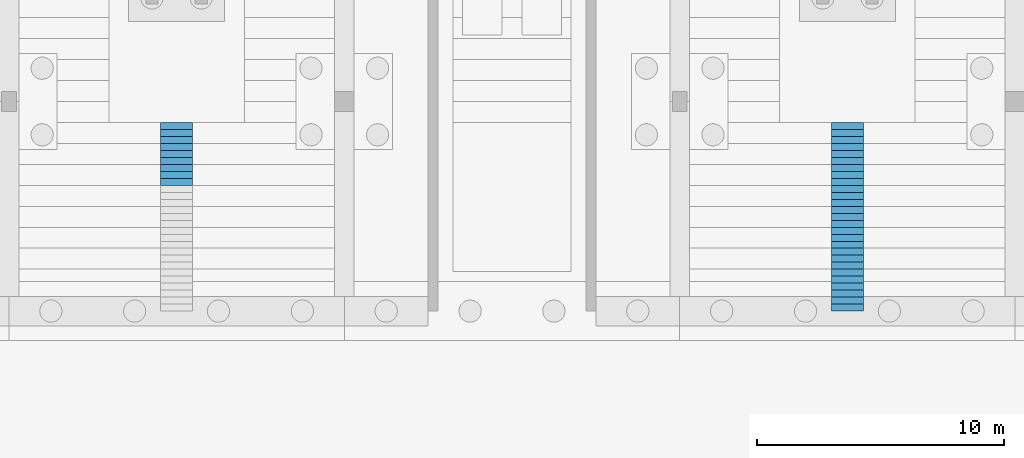
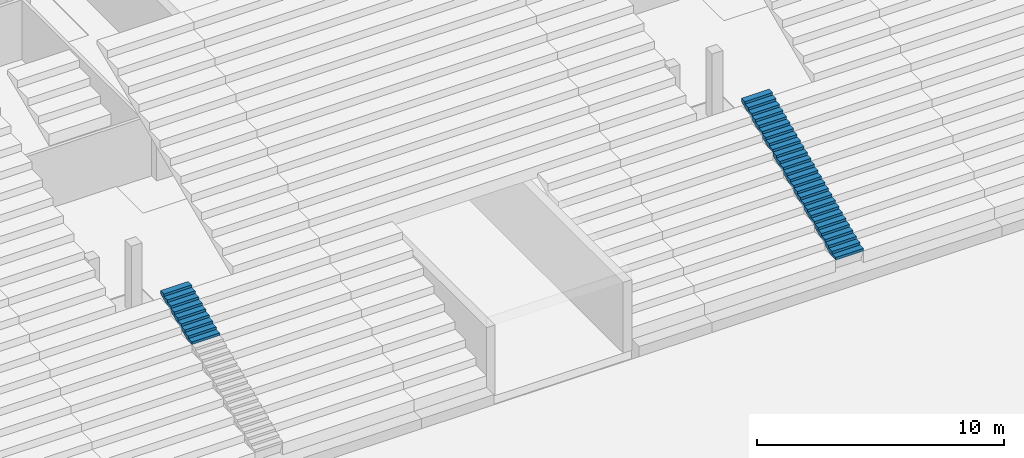
# One storey, part 96 of 115: 3 stair flights, 2 elements without a shape of their own.
"""IFC4 building model written with IfcOpenShell, lengths in metres."""

from ifc_helpers import new_model, si_unit, direction, frame, origin, place, context, subcontext, project, spatial, faceted_brep, material, type_object, element, aggregate, save


model = new_model("IFC4")

# Units and contexts
model_context = context("Model", 3, precision=1e-05, world=origin(), true_north=direction((0.0, 1.0)))
body_context = subcontext(model_context, "Body", "Model", "MODEL_VIEW")
ifc_project = project(units=[si_unit("LENGTHUNIT", "METRE"), si_unit("AREAUNIT", "SQUARE_METRE"), si_unit("VOLUMEUNIT", "CUBIC_METRE"), si_unit("PLANEANGLEUNIT", "RADIAN"), si_unit("MASSUNIT", "GRAM", prefix="KILO")], contexts=[model_context])

# Site, building, storey
site_placement = place(None, origin())
site = spatial("IfcSite", under=ifc_project, at=site_placement, CompositionType="ELEMENT")
building_placement = place(site_placement, origin())
building = spatial("IfcBuilding", under=site, at=building_placement, Name="Ogive Plaza Stadium", CompositionType="ELEMENT")
storey_placement = place(building_placement, frame((0.0, 0.0, -4.5)))
storey = spatial("IfcBuildingStorey", under=building, at=storey_placement, Name="B1", CompositionType="ELEMENT", Elevation=-4.5)

# Stair, stair flight
ifc_material_1 = material(Name="Concrete C40/50", Category="concrete")
stair_type = type_object("IfcStairType", Name="Aisle stair", PredefinedType="STRAIGHT_RUN_STAIR", material=ifc_material_1)
stair_1_placement = place(storey_placement, origin())
stair_1 = element("IfcStair", 1, at=stair_1_placement, inside=storey, type_object=stair_type, Name="Aisle stair SA33D", PredefinedType="STRAIGHT_RUN_STAIR")
ifc_material_2 = material(Name="Concrete C40/50", Category="concrete")
stair_flight_type = type_object("IfcStairFlightType", Name="Aisle stair flight", PredefinedType="STRAIGHT", material=ifc_material_2)
stair_flight_1_placement = place(storey_placement, frame((-13.60009765625, 65.10009765625, 3.375), z_axis=(0.0, 0.0, 1.0), x_axis=(0.0, 1.0, 0.0)))
stair_flight_1 = element("IfcStairFlight", 2, at=stair_flight_1_placement, type_object=stair_flight_type, Name="SA33D flight 2", NumberOfRisers=9, NumberOfTreads=8, PredefinedType="STRAIGHT", RiserHeight=0.125, TreadLength=0.283333333, context=body_context, shape_type="Brep", body=[
    faceted_brep([(0.371337890625, -0.64990234375, 0.0), (2.550048828125, -0.64990234375, 0.961181640625), (2.550048828125, -0.64990234375, 1.125), (2.2666015625, -0.64990234375, 1.125), (2.2666015625, -0.64990234375, 1.0), (1.9833984375, -0.64990234375, 1.0), (1.9833984375, -0.64990234375, 0.875), (1.699951171875, -0.64990234375, 0.875), (1.699951171875, -0.64990234375, 0.75), (1.416748046875, -0.64990234375, 0.75), (1.416748046875, -0.64990234375, 0.625), (1.13330078125, -0.64990234375, 0.625), (1.13330078125, -0.64990234375, 0.5), (0.85009765625, -0.64990234375, 0.5), (0.85009765625, -0.64990234375, 0.375), (0.566650390625, -0.64990234375, 0.375), (0.566650390625, -0.64990234375, 0.25), (0.283447265625, -0.64990234375, 0.25), (0.283447265625, -0.64990234375, 0.125), (0.0, -0.64990234375, 0.125), (0.0, -0.64990234375, 0.0), (0.0, 0.64990234375, 0.0), (0.0, 0.64990234375, 0.125), (0.283447265625, 0.64990234375, 0.125), (0.283447265625, 0.64990234375, 0.25), (0.566650390625, 0.64990234375, 0.25), (0.566650390625, 0.64990234375, 0.375), (0.85009765625, 0.64990234375, 0.375), (0.85009765625, 0.64990234375, 0.5), (1.13330078125, 0.64990234375, 0.5), (1.13330078125, 0.64990234375, 0.625), (1.416748046875, 0.64990234375, 0.625), (1.416748046875, 0.64990234375, 0.75), (1.699951171875, 0.64990234375, 0.75), (1.699951171875, 0.64990234375, 0.875), (1.9833984375, 0.64990234375, 0.875), (1.9833984375, 0.64990234375, 1.0), (2.2666015625, 0.64990234375, 1.0), (2.2666015625, 0.64990234375, 1.125), (2.550048828125, 0.64990234375, 1.125), (2.550048828125, 0.64990234375, 0.961181640625), (0.371337890625, 0.64990234375, 0.0), (0.371337890625, -0.324951171875, 0.0), (2.550048828125, -0.324951171875, 0.961181640625), (0.371337890625, 0.0, 0.0), (2.550048828125, 0.0, 0.961181640625), (0.371337890625, 0.324951171875, 0.0), (2.550048828125, 0.324951171875, 0.961181640625), (2.550048828125, -0.324951171875, 1.125), (2.550048828125, 0.0, 1.125), (2.550048828125, 0.324951171875, 1.125), (2.2666015625, -0.324951171875, 1.125), (2.2666015625, 0.0, 1.125), (2.2666015625, 0.324951171875, 1.125), (2.2666015625, -0.324951171875, 1.0), (2.2666015625, 0.0, 1.0), (2.2666015625, 0.324951171875, 1.0), (1.9833984375, -0.324951171875, 1.0), (1.9833984375, 0.0, 1.0), (1.9833984375, 0.324951171875, 1.0), (1.9833984375, -0.324951171875, 0.875), (1.9833984375, 0.0, 0.875), (1.9833984375, 0.324951171875, 0.875), (1.699951171875, -0.324951171875, 0.875), (1.699951171875, 0.0, 0.875), (1.699951171875, 0.324951171875, 0.875), (1.699951171875, -0.324951171875, 0.75), (1.699951171875, 0.0, 0.75), (1.699951171875, 0.324951171875, 0.75), (1.416748046875, -0.324951171875, 0.75), (1.416748046875, 0.0, 0.75), (1.416748046875, 0.324951171875, 0.75), (1.416748046875, -0.324951171875, 0.625), (1.416748046875, 0.0, 0.625), (1.416748046875, 0.324951171875, 0.625), (1.13330078125, -0.324951171875, 0.625), (1.13330078125, 0.0, 0.625), (1.13330078125, 0.324951171875, 0.625), (1.13330078125, -0.324951171875, 0.5), (1.13330078125, 0.0, 0.5), (1.13330078125, 0.324951171875, 0.5), (0.85009765625, -0.324951171875, 0.5), (0.85009765625, 0.0, 0.5), (0.85009765625, 0.324951171875, 0.5), (0.85009765625, -0.324951171875, 0.375), (0.85009765625, 0.0, 0.375), (0.85009765625, 0.324951171875, 0.375), (0.566650390625, -0.324951171875, 0.375), (0.566650390625, 0.0, 0.375), (0.566650390625, 0.324951171875, 0.375), (0.566650390625, -0.324951171875, 0.25), (0.566650390625, 0.0, 0.25), (0.566650390625, 0.324951171875, 0.25), (0.283447265625, -0.324951171875, 0.25), (0.283447265625, 0.0, 0.25), (0.283447265625, 0.324951171875, 0.25), (0.283447265625, -0.324951171875, 0.125), (0.283447265625, 0.0, 0.125), (0.283447265625, 0.324951171875, 0.125), (0.0, -0.324951171875, 0.125), (0.0, 0.0, 0.125), (0.0, 0.324951171875, 0.125), (0.0, -0.324951171875, 0.0), (0.0, 0.0, 0.0), (0.0, 0.324951171875, 0.0)], [[[0, 1, 2, 3, 4, 5, 6, 7, 8, 9, 10, 11, 12, 13, 14, 15, 16, 17, 18, 19, 20]], [[21, 22, 23, 24, 25, 26, 27, 28, 29, 30, 31, 32, 33, 34, 35, 36, 37, 38, 39, 40, 41]], [[0, 42, 43, 1]], [[42, 44, 45, 43]], [[44, 46, 47, 45]], [[46, 41, 40, 47]], [[1, 43, 48, 2]], [[43, 45, 49, 48]], [[45, 47, 50, 49]], [[47, 40, 39, 50]], [[2, 48, 51, 3]], [[48, 49, 52, 51]], [[49, 50, 53, 52]], [[50, 39, 38, 53]], [[3, 51, 54, 4]], [[51, 52, 55, 54]], [[52, 53, 56, 55]], [[53, 38, 37, 56]], [[4, 54, 57, 5]], [[54, 55, 58, 57]], [[55, 56, 59, 58]], [[56, 37, 36, 59]], [[5, 57, 60, 6]], [[57, 58, 61, 60]], [[58, 59, 62, 61]], [[59, 36, 35, 62]], [[6, 60, 63, 7]], [[60, 61, 64, 63]], [[61, 62, 65, 64]], [[62, 35, 34, 65]], [[7, 63, 66, 8]], [[63, 64, 67, 66]], [[64, 65, 68, 67]], [[65, 34, 33, 68]], [[8, 66, 69, 9]], [[66, 67, 70, 69]], [[67, 68, 71, 70]], [[68, 33, 32, 71]], [[9, 69, 72, 10]], [[69, 70, 73, 72]], [[70, 71, 74, 73]], [[71, 32, 31, 74]], [[10, 72, 75, 11]], [[72, 73, 76, 75]], [[73, 74, 77, 76]], [[74, 31, 30, 77]], [[11, 75, 78, 12]], [[75, 76, 79, 78]], [[76, 77, 80, 79]], [[77, 30, 29, 80]], [[12, 78, 81, 13]], [[78, 79, 82, 81]], [[79, 80, 83, 82]], [[80, 29, 28, 83]], [[13, 81, 84, 14]], [[81, 82, 85, 84]], [[82, 83, 86, 85]], [[83, 28, 27, 86]], [[14, 84, 87, 15]], [[84, 85, 88, 87]], [[85, 86, 89, 88]], [[86, 27, 26, 89]], [[15, 87, 90, 16]], [[87, 88, 91, 90]], [[88, 89, 92, 91]], [[89, 26, 25, 92]], [[16, 90, 93, 17]], [[90, 91, 94, 93]], [[91, 92, 95, 94]], [[92, 25, 24, 95]], [[17, 93, 96, 18]], [[93, 94, 97, 96]], [[94, 95, 98, 97]], [[95, 24, 23, 98]], [[18, 96, 99, 19]], [[96, 97, 100, 99]], [[97, 98, 101, 100]], [[98, 23, 22, 101]], [[19, 99, 102, 20]], [[99, 100, 103, 102]], [[100, 101, 104, 103]], [[101, 22, 21, 104]], [[20, 102, 42, 0]], [[102, 103, 44, 42]], [[103, 104, 46, 44]], [[104, 21, 41, 46]]]),
])
aggregate(stair_1, [stair_flight_1])

# Stair, stair flights
stair_2_placement = place(storey_placement, origin())
stair_2 = element("IfcStair", 3, at=stair_2_placement, inside=storey, type_object=stair_type, Name="Aisle stair SA35D", PredefinedType="STRAIGHT_RUN_STAIR")
stair_flight_2_placement = place(storey_placement, frame((13.60009765625, 60.0, 1.125), z_axis=(0.0, 0.0, 1.0), x_axis=(0.0, 1.0, 0.0)))
stair_flight_2 = element("IfcStairFlight", 4, at=stair_flight_2_placement, type_object=stair_flight_type, Name="SA35D flight 1", NumberOfRisers=18, NumberOfTreads=17, PredefinedType="STRAIGHT", RiserHeight=0.125, TreadLength=0.283333333, context=body_context, shape_type="Brep", body=[
    faceted_brep([(0.371337890625, -0.64990234375, 0.0), (5.10009765625, -0.64990234375, 2.086181640625), (5.10009765625, -0.64990234375, 2.25), (4.816650390625, -0.64990234375, 2.25), (4.816650390625, -0.64990234375, 2.125), (4.533447265625, -0.64990234375, 2.125), (4.533447265625, -0.64990234375, 2.0), (4.25, -0.64990234375, 2.0), (4.25, -0.64990234375, 1.875), (3.966552734375, -0.64990234375, 1.875), (3.966552734375, -0.64990234375, 1.75), (3.683349609375, -0.64990234375, 1.75), (3.683349609375, -0.64990234375, 1.625), (3.39990234375, -0.64990234375, 1.625), (3.39990234375, -0.64990234375, 1.5), (3.11669921875, -0.64990234375, 1.5), (3.11669921875, -0.64990234375, 1.375), (2.833251953125, -0.64990234375, 1.375), (2.833251953125, -0.64990234375, 1.25), (2.550048828125, -0.64990234375, 1.25), (2.550048828125, -0.64990234375, 1.125), (2.2666015625, -0.64990234375, 1.125), (2.2666015625, -0.64990234375, 1.0), (1.9833984375, -0.64990234375, 1.0), (1.9833984375, -0.64990234375, 0.875), (1.699951171875, -0.64990234375, 0.875), (1.699951171875, -0.64990234375, 0.75), (1.416748046875, -0.64990234375, 0.75), (1.416748046875, -0.64990234375, 0.625), (1.13330078125, -0.64990234375, 0.625), (1.13330078125, -0.64990234375, 0.5), (0.85009765625, -0.64990234375, 0.5), (0.85009765625, -0.64990234375, 0.375), (0.566650390625, -0.64990234375, 0.375), (0.566650390625, -0.64990234375, 0.25), (0.283447265625, -0.64990234375, 0.25), (0.283447265625, -0.64990234375, 0.125), (0.0, -0.64990234375, 0.125), (0.0, -0.64990234375, 0.0), (0.0, 0.64990234375, 0.0), (0.0, 0.64990234375, 0.125), (0.283447265625, 0.64990234375, 0.125), (0.283447265625, 0.64990234375, 0.25), (0.566650390625, 0.64990234375, 0.25), (0.566650390625, 0.64990234375, 0.375), (0.85009765625, 0.64990234375, 0.375), (0.85009765625, 0.64990234375, 0.5), (1.13330078125, 0.64990234375, 0.5), (1.13330078125, 0.64990234375, 0.625), (1.416748046875, 0.64990234375, 0.625), (1.416748046875, 0.64990234375, 0.75), (1.699951171875, 0.64990234375, 0.75), (1.699951171875, 0.64990234375, 0.875), (1.9833984375, 0.64990234375, 0.875), (1.9833984375, 0.64990234375, 1.0), (2.2666015625, 0.64990234375, 1.0), (2.2666015625, 0.64990234375, 1.125), (2.550048828125, 0.64990234375, 1.125), (2.550048828125, 0.64990234375, 1.25), (2.833251953125, 0.64990234375, 1.25), (2.833251953125, 0.64990234375, 1.375), (3.11669921875, 0.64990234375, 1.375), (3.11669921875, 0.64990234375, 1.5), (3.39990234375, 0.64990234375, 1.5), (3.39990234375, 0.64990234375, 1.625), (3.683349609375, 0.64990234375, 1.625), (3.683349609375, 0.64990234375, 1.75), (3.966552734375, 0.64990234375, 1.75), (3.966552734375, 0.64990234375, 1.875), (4.25, 0.64990234375, 1.875), (4.25, 0.64990234375, 2.0), (4.533447265625, 0.64990234375, 2.0), (4.533447265625, 0.64990234375, 2.125), (4.816650390625, 0.64990234375, 2.125), (4.816650390625, 0.64990234375, 2.25), (5.10009765625, 0.64990234375, 2.25), (5.10009765625, 0.64990234375, 2.086181640625), (0.371337890625, 0.64990234375, 0.0), (0.371337890625, -0.324951171875, 0.0), (5.10009765625, -0.324951171875, 2.086181640625), (0.371337890625, 0.0, 0.0), (5.10009765625, 0.0, 2.086181640625), (0.371337890625, 0.324951171875, 0.0), (5.10009765625, 0.324951171875, 2.086181640625), (5.10009765625, -0.324951171875, 2.25), (5.10009765625, 0.0, 2.25), (5.10009765625, 0.324951171875, 2.25), (4.816650390625, -0.324951171875, 2.25), (4.816650390625, 0.0, 2.25), (4.816650390625, 0.324951171875, 2.25), (4.816650390625, -0.324951171875, 2.125), (4.816650390625, 0.0, 2.125), (4.816650390625, 0.324951171875, 2.125), (4.533447265625, -0.324951171875, 2.125), (4.533447265625, 0.0, 2.125), (4.533447265625, 0.324951171875, 2.125), (4.533447265625, -0.324951171875, 2.0), (4.533447265625, 0.0, 2.0), (4.533447265625, 0.324951171875, 2.0), (4.25, -0.324951171875, 2.0), (4.25, 0.0, 2.0), (4.25, 0.324951171875, 2.0), (4.25, -0.324951171875, 1.875), (4.25, 0.0, 1.875), (4.25, 0.324951171875, 1.875), (3.966552734375, -0.324951171875, 1.875), (3.966552734375, 0.0, 1.875), (3.966552734375, 0.324951171875, 1.875), (3.966552734375, -0.324951171875, 1.75), (3.966552734375, 0.0, 1.75), (3.966552734375, 0.324951171875, 1.75), (3.683349609375, -0.324951171875, 1.75), (3.683349609375, 0.0, 1.75), (3.683349609375, 0.324951171875, 1.75), (3.683349609375, -0.324951171875, 1.625), (3.683349609375, 0.0, 1.625), (3.683349609375, 0.324951171875, 1.625), (3.39990234375, -0.324951171875, 1.625), (3.39990234375, 0.0, 1.625), (3.39990234375, 0.324951171875, 1.625), (3.39990234375, -0.324951171875, 1.5), (3.39990234375, 0.0, 1.5), (3.39990234375, 0.324951171875, 1.5), (3.11669921875, -0.324951171875, 1.5), (3.11669921875, 0.0, 1.5), (3.11669921875, 0.324951171875, 1.5), (3.11669921875, -0.324951171875, 1.375), (3.11669921875, 0.0, 1.375), (3.11669921875, 0.324951171875, 1.375), (2.833251953125, -0.324951171875, 1.375), (2.833251953125, 0.0, 1.375), (2.833251953125, 0.324951171875, 1.375), (2.833251953125, -0.324951171875, 1.25), (2.833251953125, 0.0, 1.25), (2.833251953125, 0.324951171875, 1.25), (2.550048828125, -0.324951171875, 1.25), (2.550048828125, 0.0, 1.25), (2.550048828125, 0.324951171875, 1.25), (2.550048828125, -0.324951171875, 1.125), (2.550048828125, 0.0, 1.125), (2.550048828125, 0.324951171875, 1.125), (2.2666015625, -0.324951171875, 1.125), (2.2666015625, 0.0, 1.125), (2.2666015625, 0.324951171875, 1.125), (2.2666015625, -0.324951171875, 1.0), (2.2666015625, 0.0, 1.0), (2.2666015625, 0.324951171875, 1.0), (1.9833984375, -0.324951171875, 1.0), (1.9833984375, 0.0, 1.0), (1.9833984375, 0.324951171875, 1.0), (1.9833984375, -0.324951171875, 0.875), (1.9833984375, 0.0, 0.875), (1.9833984375, 0.324951171875, 0.875), (1.699951171875, -0.324951171875, 0.875), (1.699951171875, 0.0, 0.875), (1.699951171875, 0.324951171875, 0.875), (1.699951171875, -0.324951171875, 0.75), (1.699951171875, 0.0, 0.75), (1.699951171875, 0.324951171875, 0.75), (1.416748046875, -0.324951171875, 0.75), (1.416748046875, 0.0, 0.75), (1.416748046875, 0.324951171875, 0.75), (1.416748046875, -0.324951171875, 0.625), (1.416748046875, 0.0, 0.625), (1.416748046875, 0.324951171875, 0.625), (1.13330078125, -0.324951171875, 0.625), (1.13330078125, 0.0, 0.625), (1.13330078125, 0.324951171875, 0.625), (1.13330078125, -0.324951171875, 0.5), (1.13330078125, 0.0, 0.5), (1.13330078125, 0.324951171875, 0.5), (0.85009765625, -0.324951171875, 0.5), (0.85009765625, 0.0, 0.5), (0.85009765625, 0.324951171875, 0.5), (0.85009765625, -0.324951171875, 0.375), (0.85009765625, 0.0, 0.375), (0.85009765625, 0.324951171875, 0.375), (0.566650390625, -0.324951171875, 0.375), (0.566650390625, 0.0, 0.375), (0.566650390625, 0.324951171875, 0.375), (0.566650390625, -0.324951171875, 0.25), (0.566650390625, 0.0, 0.25), (0.566650390625, 0.324951171875, 0.25), (0.283447265625, -0.324951171875, 0.25), (0.283447265625, 0.0, 0.25), (0.283447265625, 0.324951171875, 0.25), (0.283447265625, -0.324951171875, 0.125), (0.283447265625, 0.0, 0.125), (0.283447265625, 0.324951171875, 0.125), (0.0, -0.324951171875, 0.125), (0.0, 0.0, 0.125), (0.0, 0.324951171875, 0.125), (0.0, -0.324951171875, 0.0), (0.0, 0.0, 0.0), (0.0, 0.324951171875, 0.0)], [[[0, 1, 2, 3, 4, 5, 6, 7, 8, 9, 10, 11, 12, 13, 14, 15, 16, 17, 18, 19, 20, 21, 22, 23, 24, 25, 26, 27, 28, 29, 30, 31, 32, 33, 34, 35, 36, 37, 38]], [[39, 40, 41, 42, 43, 44, 45, 46, 47, 48, 49, 50, 51, 52, 53, 54, 55, 56, 57, 58, 59, 60, 61, 62, 63, 64, 65, 66, 67, 68, 69, 70, 71, 72, 73, 74, 75, 76, 77]], [[0, 78, 79, 1]], [[78, 80, 81, 79]], [[80, 82, 83, 81]], [[82, 77, 76, 83]], [[1, 79, 84, 2]], [[79, 81, 85, 84]], [[81, 83, 86, 85]], [[83, 76, 75, 86]], [[2, 84, 87, 3]], [[84, 85, 88, 87]], [[85, 86, 89, 88]], [[86, 75, 74, 89]], [[3, 87, 90, 4]], [[87, 88, 91, 90]], [[88, 89, 92, 91]], [[89, 74, 73, 92]], [[4, 90, 93, 5]], [[90, 91, 94, 93]], [[91, 92, 95, 94]], [[92, 73, 72, 95]], [[5, 93, 96, 6]], [[93, 94, 97, 96]], [[94, 95, 98, 97]], [[95, 72, 71, 98]], [[6, 96, 99, 7]], [[96, 97, 100, 99]], [[97, 98, 101, 100]], [[98, 71, 70, 101]], [[7, 99, 102, 8]], [[99, 100, 103, 102]], [[100, 101, 104, 103]], [[101, 70, 69, 104]], [[8, 102, 105, 9]], [[102, 103, 106, 105]], [[103, 104, 107, 106]], [[104, 69, 68, 107]], [[9, 105, 108, 10]], [[105, 106, 109, 108]], [[106, 107, 110, 109]], [[107, 68, 67, 110]], [[10, 108, 111, 11]], [[108, 109, 112, 111]], [[109, 110, 113, 112]], [[110, 67, 66, 113]], [[11, 111, 114, 12]], [[111, 112, 115, 114]], [[112, 113, 116, 115]], [[113, 66, 65, 116]], [[12, 114, 117, 13]], [[114, 115, 118, 117]], [[115, 116, 119, 118]], [[116, 65, 64, 119]], [[13, 117, 120, 14]], [[117, 118, 121, 120]], [[118, 119, 122, 121]], [[119, 64, 63, 122]], [[14, 120, 123, 15]], [[120, 121, 124, 123]], [[121, 122, 125, 124]], [[122, 63, 62, 125]], [[15, 123, 126, 16]], [[123, 124, 127, 126]], [[124, 125, 128, 127]], [[125, 62, 61, 128]], [[16, 126, 129, 17]], [[126, 127, 130, 129]], [[127, 128, 131, 130]], [[128, 61, 60, 131]], [[17, 129, 132, 18]], [[129, 130, 133, 132]], [[130, 131, 134, 133]], [[131, 60, 59, 134]], [[18, 132, 135, 19]], [[132, 133, 136, 135]], [[133, 134, 137, 136]], [[134, 59, 58, 137]], [[19, 135, 138, 20]], [[135, 136, 139, 138]], [[136, 137, 140, 139]], [[137, 58, 57, 140]], [[20, 138, 141, 21]], [[138, 139, 142, 141]], [[139, 140, 143, 142]], [[140, 57, 56, 143]], [[21, 141, 144, 22]], [[141, 142, 145, 144]], [[142, 143, 146, 145]], [[143, 56, 55, 146]], [[22, 144, 147, 23]], [[144, 145, 148, 147]], [[145, 146, 149, 148]], [[146, 55, 54, 149]], [[23, 147, 150, 24]], [[147, 148, 151, 150]], [[148, 149, 152, 151]], [[149, 54, 53, 152]], [[24, 150, 153, 25]], [[150, 151, 154, 153]], [[151, 152, 155, 154]], [[152, 53, 52, 155]], [[25, 153, 156, 26]], [[153, 154, 157, 156]], [[154, 155, 158, 157]], [[155, 52, 51, 158]], [[26, 156, 159, 27]], [[156, 157, 160, 159]], [[157, 158, 161, 160]], [[158, 51, 50, 161]], [[27, 159, 162, 28]], [[159, 160, 163, 162]], [[160, 161, 164, 163]], [[161, 50, 49, 164]], [[28, 162, 165, 29]], [[162, 163, 166, 165]], [[163, 164, 167, 166]], [[164, 49, 48, 167]], [[29, 165, 168, 30]], [[165, 166, 169, 168]], [[166, 167, 170, 169]], [[167, 48, 47, 170]], [[30, 168, 171, 31]], [[168, 169, 172, 171]], [[169, 170, 173, 172]], [[170, 47, 46, 173]], [[31, 171, 174, 32]], [[171, 172, 175, 174]], [[172, 173, 176, 175]], [[173, 46, 45, 176]], [[32, 174, 177, 33]], [[174, 175, 178, 177]], [[175, 176, 179, 178]], [[176, 45, 44, 179]], [[33, 177, 180, 34]], [[177, 178, 181, 180]], [[178, 179, 182, 181]], [[179, 44, 43, 182]], [[34, 180, 183, 35]], [[180, 181, 184, 183]], [[181, 182, 185, 184]], [[182, 43, 42, 185]], [[35, 183, 186, 36]], [[183, 184, 187, 186]], [[184, 185, 188, 187]], [[185, 42, 41, 188]], [[36, 186, 189, 37]], [[186, 187, 190, 189]], [[187, 188, 191, 190]], [[188, 41, 40, 191]], [[37, 189, 192, 38]], [[189, 190, 193, 192]], [[190, 191, 194, 193]], [[191, 40, 39, 194]], [[38, 192, 78, 0]], [[192, 193, 80, 78]], [[193, 194, 82, 80]], [[194, 39, 77, 82]]]),
])
stair_flight_3_placement = place(storey_placement, frame((13.60009765625, 65.10009765625, 3.375), z_axis=(0.0, 0.0, 1.0), x_axis=(0.0, 1.0, 0.0)))
stair_flight_3 = element("IfcStairFlight", 5, at=stair_flight_3_placement, type_object=stair_flight_type, Name="SA35D flight 2", NumberOfRisers=9, NumberOfTreads=8, PredefinedType="STRAIGHT", RiserHeight=0.125, TreadLength=0.283333333, context=body_context, shape_type="Brep", body=[
    faceted_brep([(0.371337890625, -0.64990234375, 0.0), (2.550048828125, -0.64990234375, 0.961181640625), (2.550048828125, -0.64990234375, 1.125), (2.2666015625, -0.64990234375, 1.125), (2.2666015625, -0.64990234375, 1.0), (1.9833984375, -0.64990234375, 1.0), (1.9833984375, -0.64990234375, 0.875), (1.699951171875, -0.64990234375, 0.875), (1.699951171875, -0.64990234375, 0.75), (1.416748046875, -0.64990234375, 0.75), (1.416748046875, -0.64990234375, 0.625), (1.13330078125, -0.64990234375, 0.625), (1.13330078125, -0.64990234375, 0.5), (0.85009765625, -0.64990234375, 0.5), (0.85009765625, -0.64990234375, 0.375), (0.566650390625, -0.64990234375, 0.375), (0.566650390625, -0.64990234375, 0.25), (0.283447265625, -0.64990234375, 0.25), (0.283447265625, -0.64990234375, 0.125), (0.0, -0.64990234375, 0.125), (0.0, -0.64990234375, 0.0), (0.0, 0.64990234375, 0.0), (0.0, 0.64990234375, 0.125), (0.283447265625, 0.64990234375, 0.125), (0.283447265625, 0.64990234375, 0.25), (0.566650390625, 0.64990234375, 0.25), (0.566650390625, 0.64990234375, 0.375), (0.85009765625, 0.64990234375, 0.375), (0.85009765625, 0.64990234375, 0.5), (1.13330078125, 0.64990234375, 0.5), (1.13330078125, 0.64990234375, 0.625), (1.416748046875, 0.64990234375, 0.625), (1.416748046875, 0.64990234375, 0.75), (1.699951171875, 0.64990234375, 0.75), (1.699951171875, 0.64990234375, 0.875), (1.9833984375, 0.64990234375, 0.875), (1.9833984375, 0.64990234375, 1.0), (2.2666015625, 0.64990234375, 1.0), (2.2666015625, 0.64990234375, 1.125), (2.550048828125, 0.64990234375, 1.125), (2.550048828125, 0.64990234375, 0.961181640625), (0.371337890625, 0.64990234375, 0.0), (0.371337890625, -0.324951171875, 0.0), (2.550048828125, -0.324951171875, 0.961181640625), (0.371337890625, 0.0, 0.0), (2.550048828125, 0.0, 0.961181640625), (0.371337890625, 0.324951171875, 0.0), (2.550048828125, 0.324951171875, 0.961181640625), (2.550048828125, -0.324951171875, 1.125), (2.550048828125, 0.0, 1.125), (2.550048828125, 0.324951171875, 1.125), (2.2666015625, -0.324951171875, 1.125), (2.2666015625, 0.0, 1.125), (2.2666015625, 0.324951171875, 1.125), (2.2666015625, -0.324951171875, 1.0), (2.2666015625, 0.0, 1.0), (2.2666015625, 0.324951171875, 1.0), (1.9833984375, -0.324951171875, 1.0), (1.9833984375, 0.0, 1.0), (1.9833984375, 0.324951171875, 1.0), (1.9833984375, -0.324951171875, 0.875), (1.9833984375, 0.0, 0.875), (1.9833984375, 0.324951171875, 0.875), (1.699951171875, -0.324951171875, 0.875), (1.699951171875, 0.0, 0.875), (1.699951171875, 0.324951171875, 0.875), (1.699951171875, -0.324951171875, 0.75), (1.699951171875, 0.0, 0.75), (1.699951171875, 0.324951171875, 0.75), (1.416748046875, -0.324951171875, 0.75), (1.416748046875, 0.0, 0.75), (1.416748046875, 0.324951171875, 0.75), (1.416748046875, -0.324951171875, 0.625), (1.416748046875, 0.0, 0.625), (1.416748046875, 0.324951171875, 0.625), (1.13330078125, -0.324951171875, 0.625), (1.13330078125, 0.0, 0.625), (1.13330078125, 0.324951171875, 0.625), (1.13330078125, -0.324951171875, 0.5), (1.13330078125, 0.0, 0.5), (1.13330078125, 0.324951171875, 0.5), (0.85009765625, -0.324951171875, 0.5), (0.85009765625, 0.0, 0.5), (0.85009765625, 0.324951171875, 0.5), (0.85009765625, -0.324951171875, 0.375), (0.85009765625, 0.0, 0.375), (0.85009765625, 0.324951171875, 0.375), (0.566650390625, -0.324951171875, 0.375), (0.566650390625, 0.0, 0.375), (0.566650390625, 0.324951171875, 0.375), (0.566650390625, -0.324951171875, 0.25), (0.566650390625, 0.0, 0.25), (0.566650390625, 0.324951171875, 0.25), (0.283447265625, -0.324951171875, 0.25), (0.283447265625, 0.0, 0.25), (0.283447265625, 0.324951171875, 0.25), (0.283447265625, -0.324951171875, 0.125), (0.283447265625, 0.0, 0.125), (0.283447265625, 0.324951171875, 0.125), (0.0, -0.324951171875, 0.125), (0.0, 0.0, 0.125), (0.0, 0.324951171875, 0.125), (0.0, -0.324951171875, 0.0), (0.0, 0.0, 0.0), (0.0, 0.324951171875, 0.0)], [[[0, 1, 2, 3, 4, 5, 6, 7, 8, 9, 10, 11, 12, 13, 14, 15, 16, 17, 18, 19, 20]], [[21, 22, 23, 24, 25, 26, 27, 28, 29, 30, 31, 32, 33, 34, 35, 36, 37, 38, 39, 40, 41]], [[0, 42, 43, 1]], [[42, 44, 45, 43]], [[44, 46, 47, 45]], [[46, 41, 40, 47]], [[1, 43, 48, 2]], [[43, 45, 49, 48]], [[45, 47, 50, 49]], [[47, 40, 39, 50]], [[2, 48, 51, 3]], [[48, 49, 52, 51]], [[49, 50, 53, 52]], [[50, 39, 38, 53]], [[3, 51, 54, 4]], [[51, 52, 55, 54]], [[52, 53, 56, 55]], [[53, 38, 37, 56]], [[4, 54, 57, 5]], [[54, 55, 58, 57]], [[55, 56, 59, 58]], [[56, 37, 36, 59]], [[5, 57, 60, 6]], [[57, 58, 61, 60]], [[58, 59, 62, 61]], [[59, 36, 35, 62]], [[6, 60, 63, 7]], [[60, 61, 64, 63]], [[61, 62, 65, 64]], [[62, 35, 34, 65]], [[7, 63, 66, 8]], [[63, 64, 67, 66]], [[64, 65, 68, 67]], [[65, 34, 33, 68]], [[8, 66, 69, 9]], [[66, 67, 70, 69]], [[67, 68, 71, 70]], [[68, 33, 32, 71]], [[9, 69, 72, 10]], [[69, 70, 73, 72]], [[70, 71, 74, 73]], [[71, 32, 31, 74]], [[10, 72, 75, 11]], [[72, 73, 76, 75]], [[73, 74, 77, 76]], [[74, 31, 30, 77]], [[11, 75, 78, 12]], [[75, 76, 79, 78]], [[76, 77, 80, 79]], [[77, 30, 29, 80]], [[12, 78, 81, 13]], [[78, 79, 82, 81]], [[79, 80, 83, 82]], [[80, 29, 28, 83]], [[13, 81, 84, 14]], [[81, 82, 85, 84]], [[82, 83, 86, 85]], [[83, 28, 27, 86]], [[14, 84, 87, 15]], [[84, 85, 88, 87]], [[85, 86, 89, 88]], [[86, 27, 26, 89]], [[15, 87, 90, 16]], [[87, 88, 91, 90]], [[88, 89, 92, 91]], [[89, 26, 25, 92]], [[16, 90, 93, 17]], [[90, 91, 94, 93]], [[91, 92, 95, 94]], [[92, 25, 24, 95]], [[17, 93, 96, 18]], [[93, 94, 97, 96]], [[94, 95, 98, 97]], [[95, 24, 23, 98]], [[18, 96, 99, 19]], [[96, 97, 100, 99]], [[97, 98, 101, 100]], [[98, 23, 22, 101]], [[19, 99, 102, 20]], [[99, 100, 103, 102]], [[100, 101, 104, 103]], [[101, 22, 21, 104]], [[20, 102, 42, 0]], [[102, 103, 44, 42]], [[103, 104, 46, 44]], [[104, 21, 41, 46]]]),
])
aggregate(stair_2, [stair_flight_2, stair_flight_3])

save(model, "model.ifc")
